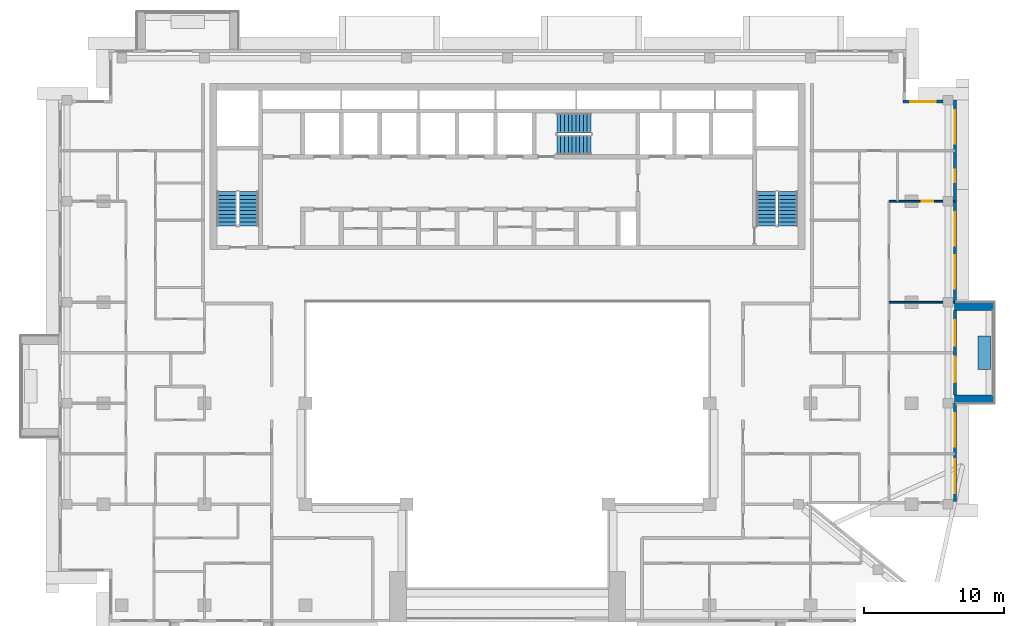
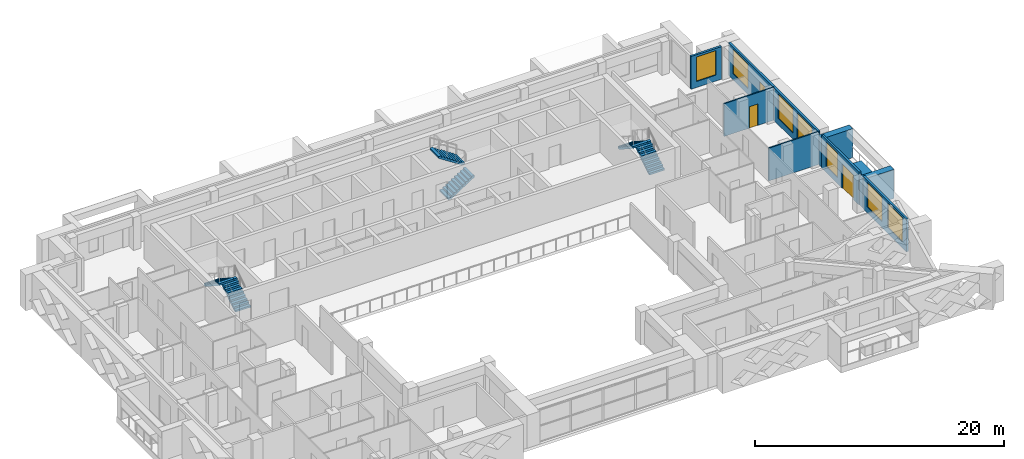
# One storey, part 12 of 19: 9 walls, 8 windows, 6 stair flights, 2 doors, 10 openings, 3 elements without a shape of their own.
"""IFC4 building model written with IfcOpenShell, lengths in metres."""

import ifcopenshell
import ifcopenshell.guid

model = None  # the IFC model being written
_history = None  # IfcOwnerHistory: only IFC2X3 demands one
_inside = {}  # id of a spatial element -> (the spatial element, [elements in it])
_under = {}  # id of a project, library or spatial element -> (it, [spatial elements below it])
_declared = {}  # id of a project -> (the project, [libraries it declares])
_typed = {}  # id of a type object -> (the type object, [elements of that type])
_made_of = {}  # id of a material, layer set ... -> (it, [elements and type objects made of it])


def new_model(schema):
    """Start an empty IFC model of exactly this schema.

    Asked for "IFC4X3", IfcOpenShell would pick the latest addendum, in which some entities
    have other attributes; the version numbers below select the first issue.
    IFC2X3 requires an IfcOwnerHistory on every rooted entity: one is made here for all.
    """
    global model, _history
    if schema == "IFC4X3":
        model = ifcopenshell.file(schema_version=(4, 3, 0, 0))
    else:
        model = ifcopenshell.file(schema=schema)
    _inside.clear()
    _under.clear()
    _declared.clear()
    _typed.clear()
    _made_of.clear()
    _history = None
    if model.schema == "IFC2X3":
        org = make("IfcOrganization", Name="unknown")
        user = make(
            "IfcPersonAndOrganization",
            ThePerson=make("IfcPerson", FamilyName="unknown"),
            TheOrganization=org,
        )
        app = make(
            "IfcApplication",
            ApplicationDeveloper=org,
            Version="unknown",
            ApplicationFullName="unknown",
            ApplicationIdentifier="unknown",
        )
        _history = make(
            "IfcOwnerHistory",
            OwningUser=user,
            OwningApplication=app,
            ChangeAction="ADDED",
            CreationDate=0,
        )
    return model


def make(cls, **values):
    """One entity of the class cls with the attributes given. An attribute that is None is left unset."""
    return model.create_entity(
        cls, **{name: value for name, value in values.items() if value is not None}
    )


def rooted(cls, **values):
    """An entity with a GlobalId (a new one), such as an element, a storey or a relation."""
    return make(cls, GlobalId=ifcopenshell.guid.new(), OwnerHistory=_history, **values)


def si_unit(unit_type, name, prefix=None):
    """IfcSIUnit, for example si_unit("LENGTHUNIT", "METRE", prefix="MILLI")."""
    return make("IfcSIUnit", UnitType=unit_type, Prefix=prefix, Name=name)


def assignment(units):
    """IfcUnitAssignment: the units of a project."""
    return None if units is None else make("IfcUnitAssignment", Units=units)


def point(xyz):
    """IfcCartesianPoint."""
    return None if xyz is None else make("IfcCartesianPoint", Coordinates=xyz)


def direction(xyz):
    """IfcDirection."""
    return None if xyz is None else make("IfcDirection", DirectionRatios=xyz)


def frame(location, z_axis=None, x_axis=None):
    """IfcAxis2Placement3D, a coordinate frame: its origin and axes. An axis left out is left unset."""
    return make(
        "IfcAxis2Placement3D",
        Location=point(location),
        Axis=direction(z_axis),
        RefDirection=direction(x_axis),
    )


def frame_2d(location, x_axis=None):
    """IfcAxis2Placement2D, a coordinate frame in the plane: its origin and x axis."""
    return make(
        "IfcAxis2Placement2D", Location=point(location), RefDirection=direction(x_axis)
    )


def origin():
    """The frame at (0, 0, 0) with its axes left unset."""
    return frame((0.0, 0.0, 0.0))


def place(relative_to, where):
    """IfcLocalPlacement: puts the frame where relative to a parent placement (None: the world)."""
    return make(
        "IfcLocalPlacement", PlacementRelTo=relative_to, RelativePlacement=where
    )


def context(
    kind, dimensions, precision=None, world=None, true_north=None, identifier=None
):
    """IfcGeometricRepresentationContext, for example the 3D "Model" context."""
    return make(
        "IfcGeometricRepresentationContext",
        ContextIdentifier=identifier,
        ContextType=kind,
        CoordinateSpaceDimension=dimensions,
        Precision=precision,
        WorldCoordinateSystem=world,
        TrueNorth=true_north,
    )


def subcontext(parent, identifier, kind, view, scale=None):
    """IfcGeometricRepresentationSubContext, for example "Body" below "Model"."""
    return make(
        "IfcGeometricRepresentationSubContext",
        ContextIdentifier=identifier,
        ContextType=kind,
        ParentContext=parent,
        TargetScale=scale,
        TargetView=view,
    )


def project(units=None, contexts=None):
    """IfcProject with its units and contexts."""
    return rooted(
        "IfcProject",
        Name="project",
        RepresentationContexts=contexts,
        UnitsInContext=assignment(units),
    )


def spatial(cls, under=None, at=None, **own):
    """A site, building, storey or space (cls), placed at a placement, below another one or the project."""
    s = rooted(cls, ObjectPlacement=at, **own)
    if under is not None:
        _under.setdefault(under.id(), (under, []))[1].append(s)
    return s


def polyline(points):
    """IfcPolyline through the points."""
    return make("IfcPolyline", Points=[point(p) for p in points])


def profile(cls, at=None, kind="AREA", **sizes):
    """A parametric profile (cls). Its sizes go by their IFC names, for example OverallWidth=200.0."""
    return make(cls, ProfileType=kind, Position=at, **sizes)


def rectangle(**sizes):
    """IfcRectangleProfileDef."""
    return profile("IfcRectangleProfileDef", **sizes)


def outline(outer, holes=None, kind="AREA"):
    """IfcArbitraryClosedProfileDef: a profile drawn as a closed curve; with holes, ...WithVoids."""
    if holes is None:
        return make("IfcArbitraryClosedProfileDef", ProfileType=kind, OuterCurve=outer)
    return make(
        "IfcArbitraryProfileDefWithVoids",
        ProfileType=kind,
        OuterCurve=outer,
        InnerCurves=holes,
    )


def extrude(swept, where, along, depth):
    """IfcExtrudedAreaSolid: the profile swept, set in the frame where, extruded along a direction by depth."""
    return make(
        "IfcExtrudedAreaSolid",
        SweptArea=swept,
        Position=where,
        ExtrudedDirection=direction(along),
        Depth=depth,
    )


def shape(context_of_items, identifier, shape_type, items):
    """IfcShapeRepresentation: the items that make up one representation, for example the "Body"."""
    return make(
        "IfcShapeRepresentation",
        ContextOfItems=context_of_items,
        RepresentationIdentifier=identifier,
        RepresentationType=shape_type,
        Items=items,
    )


def material(Name=None, Category=None):
    """IfcMaterial."""
    return make("IfcMaterial", Name=Name, Category=Category)


def layer(
    of_material, thickness, ventilated=None, Name=None, Category=None, Priority=None
):
    """IfcMaterialLayer: one layer of a wall or slab, of a material (None: an air gap)."""
    return make(
        "IfcMaterialLayer",
        Material=of_material,
        LayerThickness=thickness,
        IsVentilated=ventilated,
        Name=Name,
        Category=Category,
        Priority=Priority,
    )


def layer_set(layers, Name=None):
    """IfcMaterialLayerSet."""
    return make("IfcMaterialLayerSet", MaterialLayers=layers, LayerSetName=Name)


def made_of(thing, what):
    """Note that an element or type object is made of a material, layer set ...; save() writes the relation."""
    if what is not None:
        _made_of.setdefault(what.id(), (what, []))[1].append(thing)
    return thing


def type_object(cls, material=None, **own):
    """A type object (cls), such as IfcWallType, which elements share."""
    return made_of(rooted(cls, **own), material)


def element(
    cls,
    number,
    at=None,
    inside=None,
    cuts=None,
    type_object=None,
    material=None,
    context=None,
    identifier="Body",
    shape_type=None,
    held_by="IfcProductDefinitionShape",
    body=None,
    shapes=None,
    **own,
):
    """One element of the class cls, such as IfcWall. Its Tag is "e" and its number.

    at: its placement. inside: the storey or other place that contains it. cuts: it is an
    opening in that element (IfcRelVoidsElement). A single representation is given by context,
    identifier, shape_type and body (its items); several are given by shapes. held_by: the class
    of the entity that holds the representations. save() writes the other relations.
    """
    e = rooted(cls, Tag="e%d" % number, ObjectPlacement=at, **own)
    if body is not None:
        shapes = [shape(context, identifier, shape_type, body)]
    if shapes is not None:
        e.Representation = make(held_by, Representations=shapes)
    if inside is not None:
        _inside.setdefault(inside.id(), (inside, []))[1].append(e)
    if cuts is not None:
        rooted(
            "IfcRelVoidsElement", RelatingBuildingElement=cuts, RelatedOpeningElement=e
        )
    if type_object is not None:
        _typed.setdefault(type_object.id(), (type_object, []))[1].append(e)
    return made_of(e, material)


def fill(opening, filler):
    """IfcRelFillsElement: the door or window that sits in an opening."""
    return rooted(
        "IfcRelFillsElement",
        RelatingOpeningElement=opening,
        RelatedBuildingElement=filler,
    )


def aggregate(whole, parts):
    """IfcRelAggregates: a whole, such as a stair, and the parts it consists of."""
    return rooted("IfcRelAggregates", RelatingObject=whole, RelatedObjects=parts)


def save(model, path):
    """Write the relations noted so far, then the file.

    IfcRelAggregates (storeys below a building ...), IfcRelContainedInSpatialStructure (elements
    in a storey), IfcRelDefinesByType, IfcRelAssociatesMaterial and IfcRelDeclares: one each for
    every whole, place, type object, material and project.
    """
    for whole, parts in _under.values():
        aggregate(whole, parts)
    for where, things in _inside.values():
        rooted(
            "IfcRelContainedInSpatialStructure",
            RelatedElements=things,
            RelatingStructure=where,
        )
    for kind, things in _typed.values():
        rooted("IfcRelDefinesByType", RelatedObjects=things, RelatingType=kind)
    for what, things in _made_of.values():
        rooted("IfcRelAssociatesMaterial", RelatedObjects=things, RelatingMaterial=what)
    for by, libraries in _declared.values():
        rooted("IfcRelDeclares", RelatingContext=by, RelatedDefinitions=libraries)
    model.write(path)


model = new_model("IFC4")

# Units and contexts
model_context = context("Model", 3, precision=1e-05, world=origin(), true_north=direction((0.0, 1.0)))
body_context = subcontext(model_context, "Body", "Model", "MODEL_VIEW")
ifc_project = project(units=[si_unit("LENGTHUNIT", "METRE"), si_unit("AREAUNIT", "SQUARE_METRE"), si_unit("VOLUMEUNIT", "CUBIC_METRE"), si_unit("PLANEANGLEUNIT", "RADIAN"), si_unit("MASSUNIT", "GRAM", prefix="KILO")], contexts=[model_context])

# Site, building, storey
site_placement = place(None, origin())
site = spatial("IfcSite", under=ifc_project, at=site_placement, CompositionType="ELEMENT")
building_placement = place(site_placement, origin())
building = spatial("IfcBuilding", under=site, at=building_placement, Name="Saffron Iwan Residences", CompositionType="ELEMENT")
storey_placement = place(building_placement, frame((0.0, 0.0, 218.5)))
storey = spatial("IfcBuildingStorey", under=building, at=storey_placement, Name="L58", CompositionType="ELEMENT", Elevation=218.5)

# Walls
ifc_material_1 = material(Name="Concrete C50/60 white painted", Category="concrete")
ifc_layer_1 = layer(ifc_material_1, 0.60009765625)
ifc_layer_set_1 = layer_set([ifc_layer_1], Name="Concrete C50/60 white painted")
wall_type_1 = type_object("IfcWallType", Name="BALCONY FIN 600", PredefinedType="SOLIDWALL", material=ifc_layer_set_1)
for number, where, z_axis, x_axis, name in (
    (1, (82.25, 55.5, 0.0), (0.0, 0.0, 1.0), (1.0, 0.0, 0.0), "Balcony fin L58 F2-0a"),
    (2, (82.25, 62.10009765625, 0.0), (0.0, 0.0, 1.0), (1.0, 0.0, 0.0), "Balcony fin L58 F2-0b"),
):
    element("IfcWall", number, at=place(storey_placement, frame(where, z_axis=z_axis, x_axis=x_axis)), inside=storey, type_object=wall_type_1, Name=name, PredefinedType="SOLIDWALL", context=body_context, shape_type="SweptSolid", body=[
        extrude(rectangle(XDim=2.85009765625, YDim=0.60009765625, at=frame_2d((1.425048828125, 0.0))), origin(), (0.0, 0.0, 1.0), 2.85009765625),
    ])
ifc_material_2 = material(Name="Concrete C35/45 white painted", Category="concrete")
ifc_layer_2 = layer(ifc_material_2, 0.14990234375)
ifc_layer_set_2 = layer_set([ifc_layer_2], Name="Concrete C35/45 white painted")
wall_type_2 = type_object("IfcWallType", Name="BALCONY PLANTER", PredefinedType="SOLIDWALL", material=ifc_layer_set_2)
wall_1_placement = place(storey_placement, frame((84.375, 57.60009765625, 0.0), z_axis=(0.0, 0.0, 1.0), x_axis=(0.0, 1.0, 0.0)))
element("IfcWall", 3, at=wall_1_placement, inside=storey, type_object=wall_type_2, Name="PLANTER L58 F2-0", PredefinedType="SOLIDWALL", context=body_context, shape_type="SweptSolid", body=[
    extrude(rectangle(XDim=2.39990234375, YDim=0.89990234375, at=frame_2d((1.199951171875, 0.0))), origin(), (0.0, 0.0, 1.0), 0.89990234375),
])

# Wall, openings, windows
ifc_material_3 = material(Name="Concrete C40/50", Category="concrete")
ifc_layer_3 = layer(ifc_material_3, 0.199951171875)
ifc_layer_set_3 = layer_set([ifc_layer_3], Name="Concrete C40/50")
wall_type_3 = type_object("IfcWallType", Name="EXTERNAL WALL 200", PredefinedType="SOLIDWALL", material=ifc_layer_set_3)
wall_2_placement = place(storey_placement, frame((82.300048828125, 48.199951171875, 0.0), z_axis=(0.0, 0.0, 1.0), x_axis=(0.0, 1.0, 0.0)))
wall_2 = element("IfcWall", 4, at=wall_2_placement, inside=storey, type_object=wall_type_3, Name="External wall L58 F2.0", PredefinedType="SOLIDWALL", context=body_context, shape_type="SweptSolid", body=[
    extrude(rectangle(XDim=7.0, YDim=0.199951171875, at=frame_2d((3.5, 0.0))), origin(), (0.0, 0.0, 1.0), 3.219970703125),
])
opening_1_placement = place(wall_2_placement, frame((0.60009765625, 0.0, 0.60009765625)))
opening_1 = element("IfcOpeningElement", 5, at=opening_1_placement, cuts=wall_2, Name="Opening W1", PredefinedType="OPENING", context=body_context, shape_type="SweptSolid", body=[
    extrude(rectangle(XDim=2.39990234375, YDim=2.39990234375, at=frame_2d((1.199951171875, 1.199951171875))), frame((0.0, 0.10986328125, 0.0), z_axis=(0.0, -1.0, 0.0), x_axis=(1.0, 0.0, 0.0)), (0.0, 0.0, 1.0), 0.219970703125),
])
opening_2_placement = place(wall_2_placement, frame((3.89990234375, 0.0, 0.60009765625)))
opening_2 = element("IfcOpeningElement", 6, at=opening_2_placement, cuts=wall_2, Name="Opening W1", PredefinedType="OPENING", context=body_context, shape_type="SweptSolid", body=[
    extrude(rectangle(XDim=2.39990234375, YDim=2.39990234375, at=frame_2d((1.199951171875, 1.199951171875))), frame((0.0, 0.10986328125, 0.0), z_axis=(0.0, -1.0, 0.0), x_axis=(1.0, 0.0, 0.0)), (0.0, 0.0, 1.0), 0.219970703125),
])
ifc_material_4 = material(Name="Clear glass, laminated double glazed", Category="glass")
window_type_1 = type_object("IfcWindowType", Name="WINDOW 2400 x 2400", PartitioningType="DOUBLE_PANEL_VERTICAL", PredefinedType="WINDOW", material=ifc_material_4)
window_1_placement = place(opening_1_placement, origin())
window_1 = element("IfcWindow", 7, at=window_1_placement, inside=storey, type_object=window_type_1, Name="Window L58 F2.0", OverallHeight=2.39990234375, OverallWidth=2.39990234375, PartitioningType="DOUBLE_PANEL_VERTICAL", PredefinedType="WINDOW", context=body_context, shape_type="SweptSolid", body=[
    extrude(rectangle(XDim=2.39990234375, YDim=2.39990234375, at=frame_2d((1.199951171875, 1.199951171875))), frame((0.0, 0.030029296875, 0.0), z_axis=(0.0, -1.0, 0.0), x_axis=(1.0, 0.0, 0.0)), (0.0, 0.0, 1.0), 0.06005859375),
])
fill(opening_1, window_1)
window_2_placement = place(opening_2_placement, origin())
window_2 = element("IfcWindow", 8, at=window_2_placement, inside=storey, type_object=window_type_1, Name="Window L58 F2.1", OverallHeight=2.39990234375, OverallWidth=2.39990234375, PartitioningType="DOUBLE_PANEL_VERTICAL", PredefinedType="WINDOW", context=body_context, shape_type="SweptSolid", body=[
    extrude(rectangle(XDim=2.39990234375, YDim=2.39990234375, at=frame_2d((1.199951171875, 1.199951171875))), frame((0.0, 0.030029296875, 0.0), z_axis=(0.0, -1.0, 0.0), x_axis=(1.0, 0.0, 0.0)), (0.0, 0.0, 1.0), 0.06005859375),
])
fill(opening_2, window_2)

# Wall, openings, door, window
wall_3_placement = place(storey_placement, frame((82.300048828125, 55.800048828125, 0.0), z_axis=(0.0, 0.0, 1.0), x_axis=(0.0, 1.0, 0.0)))
wall_3 = element("IfcWall", 9, at=wall_3_placement, inside=storey, type_object=wall_type_3, Name="External wall L58 F2.1", PredefinedType="SOLIDWALL", context=body_context, shape_type="SweptSolid", body=[
    extrude(rectangle(XDim=6.0, YDim=0.199951171875, at=frame_2d((3.0, 0.0))), origin(), (0.0, 0.0, 1.0), 3.219970703125),
])
opening_3_placement = place(wall_3_placement, frame((0.89990234375, 0.0, 0.0)))
opening_3 = element("IfcOpeningElement", 10, at=opening_3_placement, cuts=wall_3, Name="Opening BD1", PredefinedType="OPENING", context=body_context, shape_type="SweptSolid", body=[
    extrude(rectangle(XDim=1.800048828125, YDim=2.39990234375, at=frame_2d((0.89990234375, 1.199951171875))), frame((0.0, 0.10986328125, 0.0), z_axis=(0.0, -1.0, 0.0), x_axis=(1.0, 0.0, 0.0)), (0.0, 0.0, 1.0), 0.219970703125),
])
opening_4_placement = place(wall_3_placement, frame((3.5, 0.0, 0.60009765625)))
opening_4 = element("IfcOpeningElement", 11, at=opening_4_placement, cuts=wall_3, Name="Opening W8", PredefinedType="OPENING", context=body_context, shape_type="SweptSolid", body=[
    extrude(rectangle(XDim=1.800048828125, YDim=2.39990234375, at=frame_2d((0.89990234375, 1.199951171875))), frame((0.0, 0.10986328125, 0.0), z_axis=(0.0, -1.0, 0.0), x_axis=(1.0, 0.0, 0.0)), (0.0, 0.0, 1.0), 0.219970703125),
])
door_type_1 = type_object("IfcDoorType", Name="BALCONY DOOR 1800 x 2400", OperationType="DOUBLE_DOOR_SLIDING", PredefinedType="DOOR", material=ifc_material_4)
door_1_placement = place(opening_3_placement, origin())
door_1 = element("IfcDoor", 12, at=door_1_placement, inside=storey, type_object=door_type_1, Name="Balcony door L58 F2.0", OperationType="DOUBLE_DOOR_SLIDING", OverallHeight=2.39990234375, OverallWidth=1.800048828125, PredefinedType="DOOR", context=body_context, shape_type="SweptSolid", body=[
    extrude(rectangle(XDim=1.800048828125, YDim=2.39990234375, at=frame_2d((0.89990234375, 1.199951171875))), frame((0.0, 0.02490234375, 0.0), z_axis=(0.0, -1.0, 0.0), x_axis=(1.0, 0.0, 0.0)), (0.0, 0.0, 1.0), 0.050048828125),
])
fill(opening_3, door_1)
window_type_2 = type_object("IfcWindowType", Name="WINDOW 1800 x 2400", PartitioningType="DOUBLE_PANEL_VERTICAL", PredefinedType="WINDOW", material=ifc_material_4)
window_3_placement = place(opening_4_placement, origin())
window_3 = element("IfcWindow", 13, at=window_3_placement, inside=storey, type_object=window_type_2, Name="Window L58 F2.1", OverallHeight=2.39990234375, OverallWidth=1.800048828125, PartitioningType="DOUBLE_PANEL_VERTICAL", PredefinedType="WINDOW", context=body_context, shape_type="SweptSolid", body=[
    extrude(rectangle(XDim=1.800048828125, YDim=2.39990234375, at=frame_2d((0.89990234375, 1.199951171875))), frame((0.0, 0.030029296875, 0.0), z_axis=(0.0, -1.0, 0.0), x_axis=(1.0, 0.0, 0.0)), (0.0, 0.0, 1.0), 0.06005859375),
])
fill(opening_4, window_3)

# Wall, openings, windows
wall_4_placement = place(storey_placement, frame((82.300048828125, 62.39990234375, 0.0), z_axis=(0.0, 0.0, 1.0), x_axis=(0.0, 1.0, 0.0)))
wall_4 = element("IfcWall", 14, at=wall_4_placement, inside=storey, type_object=wall_type_3, Name="External wall L58 F2.2", PredefinedType="SOLIDWALL", context=body_context, shape_type="SweptSolid", body=[
    extrude(rectangle(XDim=14.400146484375, YDim=0.199951171875, at=frame_2d((7.2001953125, 0.0))), origin(), (0.0, 0.0, 1.0), 3.219970703125),
])
opening_5_placement = place(wall_4_placement, frame((0.966796875, 0.0, 0.60009765625)))
opening_5 = element("IfcOpeningElement", 15, at=opening_5_placement, cuts=wall_4, Name="Opening W1", PredefinedType="OPENING", context=body_context, shape_type="SweptSolid", body=[
    extrude(rectangle(XDim=2.39990234375, YDim=2.39990234375, at=frame_2d((1.199951171875, 1.199951171875))), frame((0.0, 0.10986328125, 0.0), z_axis=(0.0, -1.0, 0.0), x_axis=(1.0, 0.0, 0.0)), (0.0, 0.0, 1.0), 0.219970703125),
])
opening_6_placement = place(wall_4_placement, frame((4.033203125, 0.0, 0.60009765625)))
opening_6 = element("IfcOpeningElement", 16, at=opening_6_placement, cuts=wall_4, Name="Opening W1", PredefinedType="OPENING", context=body_context, shape_type="SweptSolid", body=[
    extrude(rectangle(XDim=2.39990234375, YDim=2.39990234375, at=frame_2d((1.199951171875, 1.199951171875))), frame((0.0, 0.10986328125, 0.0), z_axis=(0.0, -1.0, 0.0), x_axis=(1.0, 0.0, 0.0)), (0.0, 0.0, 1.0), 0.219970703125),
])
opening_7_placement = place(wall_4_placement, frame((8.550048828125, 0.0, 1.5)))
opening_7 = element("IfcOpeningElement", 17, at=opening_7_placement, cuts=wall_4, Name="Opening W6", PredefinedType="OPENING", context=body_context, shape_type="SweptSolid", body=[
    extrude(rectangle(XDim=0.89990234375, YDim=0.89990234375, at=frame_2d((0.449951171875, 0.449951171875))), frame((0.0, 0.10986328125, 0.0), z_axis=(0.0, -1.0, 0.0), x_axis=(1.0, 0.0, 0.0)), (0.0, 0.0, 1.0), 0.219970703125),
])
opening_8_placement = place(wall_4_placement, frame((11.300048828125, 0.0, 0.60009765625)))
opening_8 = element("IfcOpeningElement", 18, at=opening_8_placement, cuts=wall_4, Name="Opening W1", PredefinedType="OPENING", context=body_context, shape_type="SweptSolid", body=[
    extrude(rectangle(XDim=2.39990234375, YDim=2.39990234375, at=frame_2d((1.199951171875, 1.199951171875))), frame((0.0, 0.10986328125, 0.0), z_axis=(0.0, -1.0, 0.0), x_axis=(1.0, 0.0, 0.0)), (0.0, 0.0, 1.0), 0.219970703125),
])
window_4_placement = place(opening_5_placement, origin())
window_4 = element("IfcWindow", 19, at=window_4_placement, inside=storey, type_object=window_type_1, Name="Window L58 F2.0", OverallHeight=2.39990234375, OverallWidth=2.39990234375, PartitioningType="DOUBLE_PANEL_VERTICAL", PredefinedType="WINDOW", context=body_context, shape_type="SweptSolid", body=[
    extrude(rectangle(XDim=2.39990234375, YDim=2.39990234375, at=frame_2d((1.199951171875, 1.199951171875))), frame((0.0, 0.030029296875, 0.0), z_axis=(0.0, -1.0, 0.0), x_axis=(1.0, 0.0, 0.0)), (0.0, 0.0, 1.0), 0.06005859375),
])
fill(opening_5, window_4)
window_5_placement = place(opening_6_placement, origin())
window_5 = element("IfcWindow", 20, at=window_5_placement, inside=storey, type_object=window_type_1, Name="Window L58 F2.1", OverallHeight=2.39990234375, OverallWidth=2.39990234375, PartitioningType="DOUBLE_PANEL_VERTICAL", PredefinedType="WINDOW", context=body_context, shape_type="SweptSolid", body=[
    extrude(rectangle(XDim=2.39990234375, YDim=2.39990234375, at=frame_2d((1.199951171875, 1.199951171875))), frame((0.0, 0.030029296875, 0.0), z_axis=(0.0, -1.0, 0.0), x_axis=(1.0, 0.0, 0.0)), (0.0, 0.0, 1.0), 0.06005859375),
])
fill(opening_6, window_5)
window_6_placement = place(opening_8_placement, origin())
window_6 = element("IfcWindow", 21, at=window_6_placement, inside=storey, type_object=window_type_1, Name="Window L58 F2.3", OverallHeight=2.39990234375, OverallWidth=2.39990234375, PartitioningType="DOUBLE_PANEL_VERTICAL", PredefinedType="WINDOW", context=body_context, shape_type="SweptSolid", body=[
    extrude(rectangle(XDim=2.39990234375, YDim=2.39990234375, at=frame_2d((1.199951171875, 1.199951171875))), frame((0.0, 0.030029296875, 0.0), z_axis=(0.0, -1.0, 0.0), x_axis=(1.0, 0.0, 0.0)), (0.0, 0.0, 1.0), 0.06005859375),
])
fill(opening_8, window_6)
window_type_3 = type_object("IfcWindowType", Name="WINDOW 900 x 900 BATH", PartitioningType="SINGLE_PANEL", PredefinedType="WINDOW", material=ifc_material_4)
window_7_placement = place(opening_7_placement, origin())
window_7 = element("IfcWindow", 22, at=window_7_placement, inside=storey, type_object=window_type_3, Name="Window L58 F2.2", OverallHeight=0.89990234375, OverallWidth=0.89990234375, PartitioningType="SINGLE_PANEL", PredefinedType="WINDOW", context=body_context, shape_type="SweptSolid", body=[
    extrude(rectangle(XDim=0.89990234375, YDim=0.89990234375, at=frame_2d((0.449951171875, 0.449951171875))), frame((0.0, 0.030029296875, 0.0), z_axis=(0.0, -1.0, 0.0), x_axis=(1.0, 0.0, 0.0)), (0.0, 0.0, 1.0), 0.06005859375),
])
fill(opening_7, window_7)

# Wall, opening, window
wall_5_placement = place(storey_placement, frame((81.449951171875, 76.699951171875, 0.0), z_axis=(0.0, 0.0, 1.0), x_axis=(-1.0, 0.0, 0.0)))
wall_5 = element("IfcWall", 23, at=wall_5_placement, inside=storey, type_object=wall_type_3, Name="External wall L58 F3.0", PredefinedType="SOLIDWALL", context=body_context, shape_type="SweptSolid", body=[
    extrude(rectangle(XDim=2.849853515625, YDim=0.199951171875, at=frame_2d((1.4248046875, 0.0))), origin(), (0.0, 0.0, 1.0), 3.219970703125),
])
opening_9_placement = place(wall_5_placement, frame((0.52490234375, 0.0, 0.60009765625)))
opening_9 = element("IfcOpeningElement", 24, at=opening_9_placement, cuts=wall_5, Name="Opening W8", PredefinedType="OPENING", context=body_context, shape_type="SweptSolid", body=[
    extrude(rectangle(XDim=1.800048828125, YDim=2.39990234375, at=frame_2d((0.89990234375, 1.199951171875))), frame((0.0, 0.10986328125, 0.0), z_axis=(0.0, -1.0, 0.0), x_axis=(1.0, 0.0, 0.0)), (0.0, 0.0, 1.0), 0.219970703125),
])
window_8_placement = place(opening_9_placement, origin())
window_8 = element("IfcWindow", 25, at=window_8_placement, inside=storey, type_object=window_type_2, Name="Window L58 F3.0", OverallHeight=2.39990234375, OverallWidth=1.800048828125, PartitioningType="DOUBLE_PANEL_VERTICAL", PredefinedType="WINDOW", context=body_context, shape_type="SweptSolid", body=[
    extrude(rectangle(XDim=1.800048828125, YDim=2.39990234375, at=frame_2d((0.89990234375, 1.199951171875))), frame((0.0, 0.030029296875, 0.0), z_axis=(0.0, -1.0, 0.0), x_axis=(1.0, 0.0, 0.0)), (0.0, 0.0, 1.0), 0.06005859375),
])
fill(opening_9, window_8)

# Wall
ifc_material_5 = material(Name="Gypsum board partition")
ifc_layer_4 = layer(ifc_material_5, 0.1201171875)
ifc_layer_set_4 = layer_set([ifc_layer_4], Name="Gypsum board partition")
wall_type_4 = type_object("IfcWallType", Name="Flat partition 120", PredefinedType="PARTITIONING", material=ifc_layer_set_4)
wall_6_placement = place(storey_placement, frame((77.60009765625, 62.39990234375, 0.0), z_axis=(0.0, 0.0, 1.0), x_axis=(1.0, 0.0, 0.0)))
element("IfcWall", 26, at=wall_6_placement, inside=storey, type_object=wall_type_4, Name="W-L58-PART-h62.4-77.6", PredefinedType="PARTITIONING", context=body_context, shape_type="SweptSolid", body=[
    extrude(rectangle(XDim=4.6748046875, YDim=0.1201171875, at=frame_2d((2.33740234375, 0.0))), origin(), (0.0, 0.0, 1.0), 3.219970703125),
])

# Wall, opening, door
wall_7_placement = place(storey_placement, frame((77.60009765625, 69.60009765625, 0.0), z_axis=(0.0, 0.0, 1.0), x_axis=(1.0, 0.0, 0.0)))
wall_7 = element("IfcWall", 27, at=wall_7_placement, inside=storey, type_object=wall_type_4, Name="W-L58-PART-h69.6-77.6", PredefinedType="PARTITIONING", context=body_context, shape_type="SweptSolid", body=[
    extrude(rectangle(XDim=4.6748046875, YDim=0.1201171875, at=frame_2d((2.33740234375, 0.0))), origin(), (0.0, 0.0, 1.0), 3.219970703125),
])
opening_10_placement = place(wall_7_placement, frame((2.33740234375, 0.0, 0.0)))
opening_10 = element("IfcOpeningElement", 28, at=opening_10_placement, cuts=wall_7, Name="Opening FD3", PredefinedType="OPENING", context=body_context, shape_type="SweptSolid", body=[
    extrude(rectangle(XDim=0.800048828125, YDim=2.10009765625, at=frame_2d((0.39990234375, 1.050048828125))), frame((0.0, 0.070068359375, 0.0), z_axis=(0.0, -1.0, 0.0), x_axis=(1.0, 0.0, 0.0)), (0.0, 0.0, 1.0), 0.14013671875),
])
ifc_material_6 = material(Name="Timber door", Category="wood")
door_type_2 = type_object("IfcDoorType", Name="Bathroom door 800", OperationType="NOTDEFINED", PredefinedType="DOOR", material=ifc_material_6)
door_2_placement = place(opening_10_placement, origin())
door_2 = element("IfcDoor", 29, at=door_2_placement, inside=storey, type_object=door_type_2, Name="Door L58-034", OperationType="SINGLE_SWING_RIGHT", OverallHeight=2.10009765625, OverallWidth=0.800048828125, PredefinedType="DOOR", context=body_context, shape_type="SweptSolid", body=[
    extrude(rectangle(XDim=0.800048828125, YDim=2.10009765625, at=frame_2d((0.39990234375, 1.050048828125))), frame((0.0, 0.02490234375, 0.0), z_axis=(0.0, -1.0, 0.0), x_axis=(1.0, 0.0, 0.0)), (0.0, 0.0, 1.0), 0.050048828125),
])
fill(opening_10, door_2)

# Stair, stair flights
ifc_material_7 = material(Name="Concrete C50/60", Category="concrete")
stair_type = type_object("IfcStairType", Name="Stair ST-CORE", PredefinedType="HALF_TURN_STAIR", material=ifc_material_7)
stair_1_placement = place(storey_placement, origin())
stair_1 = element("IfcStair", 30, at=stair_1_placement, inside=storey, type_object=stair_type, Name="L58 Exit Stair ST-W", PredefinedType="HALF_TURN_STAIR")
ifc_layer_5 = layer(ifc_material_7, 0.14990234375)
ifc_layer_set_5 = layer_set([ifc_layer_5], Name="Concrete C50/60")
stair_flight_type = type_object("IfcStairFlightType", Name="Stair flight SFL-RC", PredefinedType="STRAIGHT", material=ifc_layer_set_5)
stair_flight_1_placement = place(storey_placement, frame((31.949951171875, 67.85009765625, 0.0), z_axis=(0.0, 0.0, 1.0), x_axis=(0.0, 1.0, 0.0)))
stair_flight_1 = element("IfcStairFlight", 31, at=stair_flight_1_placement, type_object=stair_flight_type, Name="ST-W flight 1", NumberOfRisers=10, NumberOfTreads=9, PredefinedType="STRAIGHT", RiserHeight=0.175, TreadLength=0.27, context=body_context, shape_type="SweptSolid", body=[
    extrude(outline(polyline([(0.0, 0.0), (0.0, 0.175048828125), (0.27001953125, 0.175048828125), (0.27001953125, 0.35009765625), (0.5400390625, 0.35009765625), (0.5400390625, 0.52490234375), (0.81005859375, 0.52490234375), (0.81005859375, 0.699951171875), (1.080078125, 0.699951171875), (1.080078125, 0.875), (1.35009765625, 0.875), (1.35009765625, 1.050048828125), (1.6201171875, 1.050048828125), (1.6201171875, 1.22509765625), (1.889892578125, 1.22509765625), (1.889892578125, 1.39990234375), (2.159912109375, 1.39990234375), (2.159912109375, 1.574951171875), (2.429931640625, 1.574951171875), (2.429931640625, 1.75), (2.429931640625, 1.396484375), (0.275634765625, 0.0), (0.0, 0.0)])), frame((0.0, 0.699951171875, 0.0), z_axis=(0.0, -1.0, 0.0), x_axis=(1.0, 0.0, 0.0)), (0.0, 0.0, 1.0), 1.39990234375),
])
stair_flight_2_placement = place(storey_placement, frame((30.39990234375, 70.280029296875, 1.75), z_axis=(0.0, 0.0, 1.0), x_axis=(0.0, -1.0, 0.0)))
stair_flight_2 = element("IfcStairFlight", 32, at=stair_flight_2_placement, type_object=stair_flight_type, Name="ST-W flight 2", NumberOfRisers=10, NumberOfTreads=9, PredefinedType="STRAIGHT", RiserHeight=0.175, TreadLength=0.27, context=body_context, shape_type="SweptSolid", body=[
    extrude(outline(polyline([(0.0, 0.0), (0.0, 0.175048828125), (0.27001953125, 0.175048828125), (0.27001953125, 0.35009765625), (0.5400390625, 0.35009765625), (0.5400390625, 0.52490234375), (0.81005859375, 0.52490234375), (0.81005859375, 0.699951171875), (1.080078125, 0.699951171875), (1.080078125, 0.875), (1.35009765625, 0.875), (1.35009765625, 1.050048828125), (1.6201171875, 1.050048828125), (1.6201171875, 1.22509765625), (1.889892578125, 1.22509765625), (1.889892578125, 1.39990234375), (2.159912109375, 1.39990234375), (2.159912109375, 1.574951171875), (2.429931640625, 1.574951171875), (2.429931640625, 1.75), (2.429931640625, 1.396484375), (0.275634765625, 0.0), (0.0, 0.0)])), frame((0.0, 0.699951171875, 0.0), z_axis=(0.0, -1.0, 0.0), x_axis=(1.0, 0.0, 0.0)), (0.0, 0.0, 1.0), 1.39990234375),
])
aggregate(stair_1, [stair_flight_1, stair_flight_2])

stair_2_placement = place(storey_placement, origin())
stair_2 = element("IfcStair", 33, at=stair_2_placement, inside=storey, type_object=stair_type, Name="L58 Exit Stair ST-C", PredefinedType="HALF_TURN_STAIR")
stair_flight_3_placement = place(storey_placement, frame((53.925048828125, 73.625, 0.0), z_axis=(0.0, 0.0, 1.0), x_axis=(1.0, 0.0, 0.0)))
stair_flight_3 = element("IfcStairFlight", 34, at=stair_flight_3_placement, type_object=stair_flight_type, Name="ST-C flight 1", NumberOfRisers=10, NumberOfTreads=9, PredefinedType="STRAIGHT", RiserHeight=0.175, TreadLength=0.27, context=body_context, shape_type="SweptSolid", body=[
    extrude(outline(polyline([(0.0, 0.0), (0.0, 0.175048828125), (0.27001953125, 0.175048828125), (0.27001953125, 0.35009765625), (0.5400390625, 0.35009765625), (0.5400390625, 0.52490234375), (0.81005859375, 0.52490234375), (0.81005859375, 0.699951171875), (1.080078125, 0.699951171875), (1.080078125, 0.875), (1.35009765625, 0.875), (1.35009765625, 1.050048828125), (1.6201171875, 1.050048828125), (1.6201171875, 1.22509765625), (1.889892578125, 1.22509765625), (1.889892578125, 1.39990234375), (2.159912109375, 1.39990234375), (2.159912109375, 1.574951171875), (2.429931640625, 1.574951171875), (2.429931640625, 1.75), (2.429931640625, 1.396484375), (0.275634765625, 0.0), (0.0, 0.0)])), frame((0.0, 0.699951171875, 0.0), z_axis=(0.0, -1.0, 0.0), x_axis=(1.0, 0.0, 0.0)), (0.0, 0.0, 1.0), 1.39990234375),
])
stair_flight_4_placement = place(storey_placement, frame((56.35498046875, 75.175048828125, 1.75), z_axis=(0.0, 0.0, 1.0), x_axis=(-1.0, 0.0, 0.0)))
stair_flight_4 = element("IfcStairFlight", 35, at=stair_flight_4_placement, type_object=stair_flight_type, Name="ST-C flight 2", NumberOfRisers=10, NumberOfTreads=9, PredefinedType="STRAIGHT", RiserHeight=0.175, TreadLength=0.27, context=body_context, shape_type="SweptSolid", body=[
    extrude(outline(polyline([(0.0, 0.0), (0.0, 0.175048828125), (0.27001953125, 0.175048828125), (0.27001953125, 0.35009765625), (0.5400390625, 0.35009765625), (0.5400390625, 0.52490234375), (0.81005859375, 0.52490234375), (0.81005859375, 0.699951171875), (1.080078125, 0.699951171875), (1.080078125, 0.875), (1.35009765625, 0.875), (1.35009765625, 1.050048828125), (1.6201171875, 1.050048828125), (1.6201171875, 1.22509765625), (1.889892578125, 1.22509765625), (1.889892578125, 1.39990234375), (2.159912109375, 1.39990234375), (2.159912109375, 1.574951171875), (2.429931640625, 1.574951171875), (2.429931640625, 1.75), (2.429931640625, 1.396484375), (0.275634765625, 0.0), (0.0, 0.0)])), frame((0.0, 0.699951171875, 0.0), z_axis=(0.0, -1.0, 0.0), x_axis=(1.0, 0.0, 0.0)), (0.0, 0.0, 1.0), 1.39990234375),
])
aggregate(stair_2, [stair_flight_3, stair_flight_4])

stair_3_placement = place(storey_placement, origin())
stair_3 = element("IfcStair", 36, at=stair_3_placement, inside=storey, type_object=stair_type, Name="L58 Exit Stair ST-E", PredefinedType="HALF_TURN_STAIR")
stair_flight_5_placement = place(storey_placement, frame((70.39990234375, 67.85009765625, 0.0), z_axis=(0.0, 0.0, 1.0), x_axis=(0.0, 1.0, 0.0)))
stair_flight_5 = element("IfcStairFlight", 37, at=stair_flight_5_placement, type_object=stair_flight_type, Name="ST-E flight 1", NumberOfRisers=10, NumberOfTreads=9, PredefinedType="STRAIGHT", RiserHeight=0.175, TreadLength=0.27, context=body_context, shape_type="SweptSolid", body=[
    extrude(outline(polyline([(0.0, 0.0), (0.0, 0.175048828125), (0.27001953125, 0.175048828125), (0.27001953125, 0.35009765625), (0.5400390625, 0.35009765625), (0.5400390625, 0.52490234375), (0.81005859375, 0.52490234375), (0.81005859375, 0.699951171875), (1.080078125, 0.699951171875), (1.080078125, 0.875), (1.35009765625, 0.875), (1.35009765625, 1.050048828125), (1.6201171875, 1.050048828125), (1.6201171875, 1.22509765625), (1.889892578125, 1.22509765625), (1.889892578125, 1.39990234375), (2.159912109375, 1.39990234375), (2.159912109375, 1.574951171875), (2.429931640625, 1.574951171875), (2.429931640625, 1.75), (2.429931640625, 1.396484375), (0.275634765625, 0.0), (0.0, 0.0)])), frame((0.0, 0.699951171875, 0.0), z_axis=(0.0, -1.0, 0.0), x_axis=(1.0, 0.0, 0.0)), (0.0, 0.0, 1.0), 1.39990234375),
])
stair_flight_6_placement = place(storey_placement, frame((68.85009765625, 70.280029296875, 1.75), z_axis=(0.0, 0.0, 1.0), x_axis=(0.0, -1.0, 0.0)))
stair_flight_6 = element("IfcStairFlight", 38, at=stair_flight_6_placement, type_object=stair_flight_type, Name="ST-E flight 2", NumberOfRisers=10, NumberOfTreads=9, PredefinedType="STRAIGHT", RiserHeight=0.175, TreadLength=0.27, context=body_context, shape_type="SweptSolid", body=[
    extrude(outline(polyline([(0.0, 0.0), (0.0, 0.175048828125), (0.27001953125, 0.175048828125), (0.27001953125, 0.35009765625), (0.5400390625, 0.35009765625), (0.5400390625, 0.52490234375), (0.81005859375, 0.52490234375), (0.81005859375, 0.699951171875), (1.080078125, 0.699951171875), (1.080078125, 0.875), (1.35009765625, 0.875), (1.35009765625, 1.050048828125), (1.6201171875, 1.050048828125), (1.6201171875, 1.22509765625), (1.889892578125, 1.22509765625), (1.889892578125, 1.39990234375), (2.159912109375, 1.39990234375), (2.159912109375, 1.574951171875), (2.429931640625, 1.574951171875), (2.429931640625, 1.75), (2.429931640625, 1.396484375), (0.275634765625, 0.0), (0.0, 0.0)])), frame((0.0, 0.699951171875, 0.0), z_axis=(0.0, -1.0, 0.0), x_axis=(1.0, 0.0, 0.0)), (0.0, 0.0, 1.0), 1.39990234375),
])
aggregate(stair_3, [stair_flight_5, stair_flight_6])

save(model, "model.ifc")
